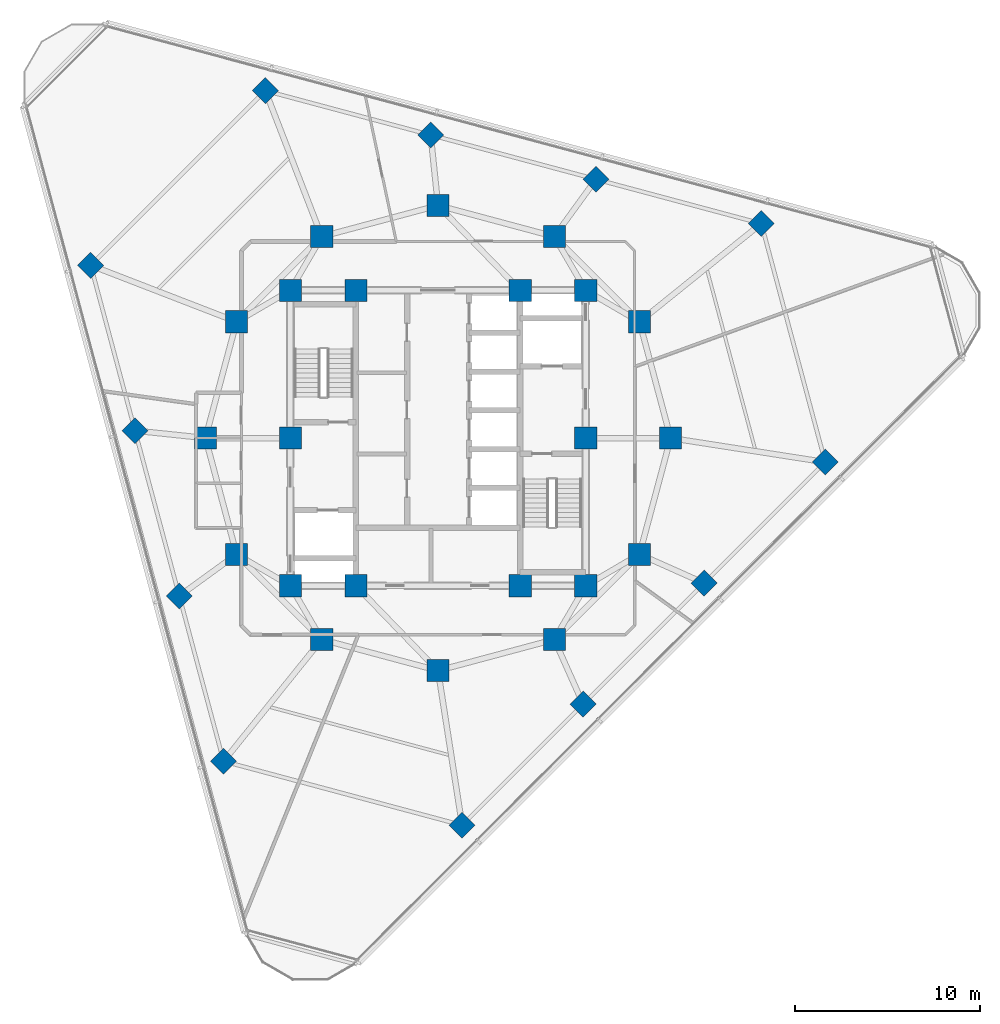
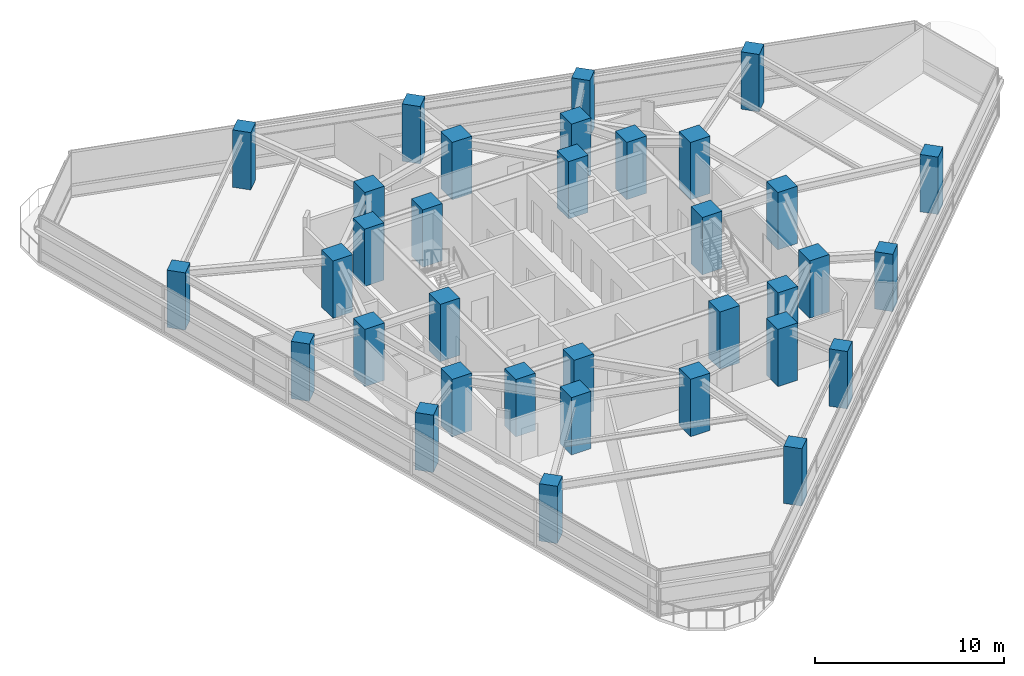
# One storey, part 1 of 13: 34 columns.
"""IFC4 building model written with IfcOpenShell, lengths in metres."""

from ifc_helpers import new_model, si_unit, direction, frame, origin, origin_2d, place, context, subcontext, project, spatial, rectangle, extrude, material, material_profile, profile_set, type_object, element, save


model = new_model("IFC4")

# Units and contexts
model_context = context("Model", 3, precision=1e-05, world=origin(), true_north=direction((0.0, 1.0)))
body_context = subcontext(model_context, "Body", "Model", "MODEL_VIEW")
ifc_project = project(units=[si_unit("LENGTHUNIT", "METRE"), si_unit("AREAUNIT", "SQUARE_METRE"), si_unit("VOLUMEUNIT", "CUBIC_METRE"), si_unit("PLANEANGLEUNIT", "RADIAN"), si_unit("MASSUNIT", "GRAM", prefix="KILO")], contexts=[model_context])

# Site, building, storey
site_placement = place(None, origin())
site = spatial("IfcSite", under=ifc_project, at=site_placement, CompositionType="ELEMENT")
building_placement = place(site_placement, origin())
building = spatial("IfcBuilding", under=site, at=building_placement, Name="Terralouvre Media Tower", CompositionType="ELEMENT")
storey_placement = place(building_placement, frame((0.0, 0.0, 195.300048828125)))
storey = spatial("IfcBuildingStorey", under=building, at=storey_placement, Name="L50", CompositionType="ELEMENT", Elevation=195.300048828125)

# Columns
ifc_material_1 = material(Name="Concrete C50/60", Category="concrete")
ifc_material_profile_1 = material_profile(ifc_material_1, rectangle(XDim=1.0, YDim=1.0, at=origin_2d()), Name="RC 1000x1000")
ifc_profile_set_1 = profile_set([ifc_material_profile_1], Name="Concrete C50/60")
column_type_1 = type_object("IfcColumnType", Name="Structural Column C-RC1000 (RC 1000x1000)", PredefinedType="COLUMN", material=ifc_profile_set_1)
for number, where, z_axis, x_axis, name in (
    (1, (1.3046875, -20.973388671875, 0.0), (0.0, 0.0, 1.0), (0.707106781187, 0.707106781187, 0.0), "L50 Perimeter Mega-Column PC11"),
    (2, (7.86083984375, -14.417236328125, 0.0), (0.0, 0.0, 1.0), (0.707106781187, 0.707106781187, 0.0), "L50 Perimeter Mega-Column PC12"),
    (3, (14.417236328125, -7.86083984375, 0.0), (0.0, 0.0, 1.0), (0.707106781187, 0.707106781187, 0.0), "L50 Perimeter Mega-Column PC13"),
    (4, (20.973388671875, -1.3046875, 0.0), (0.0, 0.0, 1.0), (0.707106781187, 0.707106781187, 0.0), "L50 Perimeter Mega-Column PC14"),
    (5, (17.51123046875, 11.616455078125, 0.0), (0.0, 0.0, 1.0), (0.707106781187, 0.707106781187, 0.0), "L50 Perimeter Mega-Column PC21"),
    (6, (8.55517578125, 14.016357421875, 0.0), (0.0, 0.0, 1.0), (0.707106781187, 0.707106781187, 0.0), "L50 Perimeter Mega-Column PC22"),
    (7, (-0.40087890625, 16.416015625, 0.0), (0.0, 0.0, 1.0), (0.707106781187, 0.707106781187, 0.0), "L50 Perimeter Mega-Column PC23"),
    (8, (-9.35693359375, 18.81591796875, 0.0), (0.0, 0.0, 1.0), (0.707106781187, 0.707106781187, 0.0), "L50 Perimeter Mega-Column PC24"),
    (9, (-18.81591796875, 9.35693359375, 0.0), (0.0, 0.0, 1.0), (0.707106781187, 0.707106781187, 0.0), "L50 Perimeter Mega-Column PC31"),
    (10, (-16.416015625, 0.40087890625, 0.0), (0.0, 0.0, 1.0), (0.707106781187, 0.707106781187, 0.0), "L50 Perimeter Mega-Column PC32"),
    (11, (-14.016357421875, -8.55517578125, 0.0), (0.0, 0.0, 1.0), (0.707106781187, 0.707106781187, 0.0), "L50 Perimeter Mega-Column PC33"),
    (12, (-11.616455078125, -17.51123046875, 0.0), (0.0, 0.0, 1.0), (0.707106781187, 0.707106781187, 0.0), "L50 Perimeter Mega-Column PC34"),
):
    element("IfcColumn", number, at=place(storey_placement, frame(where, z_axis=z_axis, x_axis=x_axis)), inside=storey, type_object=column_type_1, Name=name, PredefinedType="COLUMN", context=body_context, shape_type="SweptSolid", body=[
        extrude(rectangle(XDim=1.0, YDim=1.0, at=origin_2d()), origin(), (0.0, 0.0, 1.0), 3.699951171875),
    ])
ifc_material_2 = material(Name="Concrete C60/75", Category="concrete")
ifc_material_profile_2 = material_profile(ifc_material_2, rectangle(XDim=1.199951171875, YDim=1.199951171875, at=origin_2d()), Name="RC 1200x1200")
ifc_profile_set_2 = profile_set([ifc_material_profile_2], Name="Concrete C60/75")
column_type_2 = type_object("IfcColumnType", Name="Structural Column C-RC1200 (RC 1200x1200)", PredefinedType="COLUMN", material=ifc_profile_set_2)
for number, where, z_axis, x_axis, name in (
    (13, (-8.0, -8.0, 0.0), (0.0, 0.0, 1.0), (1.0, 0.0, 0.0), "L50 Core Pilaster Column CP1"),
    (14, (-4.449951171875, -8.0, 0.0), (0.0, 0.0, 1.0), (1.0, 0.0, 0.0), "L50 Core Pilaster Column CP2"),
    (15, (4.449951171875, -8.0, 0.0), (0.0, 0.0, 1.0), (1.0, 0.0, 0.0), "L50 Core Pilaster Column CP10"),
    (16, (8.0, -8.0, 0.0), (0.0, 0.0, 1.0), (1.0, 0.0, 0.0), "L50 Core Pilaster Column CP3"),
    (17, (8.0, 0.0, 0.0), (0.0, 0.0, 1.0), (1.0, 0.0, 0.0), "L50 Core Pilaster Column CP4"),
    (18, (8.0, 8.0, 0.0), (0.0, 0.0, 1.0), (1.0, 0.0, 0.0), "L50 Core Pilaster Column CP5"),
    (19, (4.449951171875, 8.0, 0.0), (0.0, 0.0, 1.0), (1.0, 0.0, 0.0), "L50 Core Pilaster Column CP9"),
    (20, (-4.449951171875, 8.0, 0.0), (0.0, 0.0, 1.0), (1.0, 0.0, 0.0), "L50 Core Pilaster Column CP6"),
    (21, (-8.0, 8.0, 0.0), (0.0, 0.0, 1.0), (1.0, 0.0, 0.0), "L50 Core Pilaster Column CP7"),
    (22, (-8.0, 0.0, 0.0), (0.0, 0.0, 1.0), (1.0, 0.0, 0.0), "L50 Core Pilaster Column CP8"),
    (23, (12.60009765625, 0.0, 0.0), (0.0, 0.0, 1.0), (1.0, 0.0, 0.0), "L50 Mega-Frame Column MC01"),
    (24, (10.911865234375, 6.300048828125, 0.0), (0.0, 0.0, 1.0), (1.0, 0.0, 0.0), "L50 Mega-Frame Column MC02"),
    (25, (6.300048828125, 10.911865234375, 0.0), (0.0, 0.0, 1.0), (1.0, 0.0, 0.0), "L50 Mega-Frame Column MC03"),
    (26, (0.0, 12.60009765625, 0.0), (0.0, 0.0, 1.0), (1.0, 0.0, 0.0), "L50 Mega-Frame Column MC04"),
    (27, (-6.300048828125, 10.911865234375, 0.0), (0.0, 0.0, 1.0), (1.0, 0.0, 0.0), "L50 Mega-Frame Column MC05"),
    (28, (-10.911865234375, 6.300048828125, 0.0), (0.0, 0.0, 1.0), (1.0, 0.0, 0.0), "L50 Mega-Frame Column MC06"),
    (29, (-12.60009765625, 0.0, 0.0), (0.0, 0.0, 1.0), (1.0, 0.0, 0.0), "L50 Mega-Frame Column MC07"),
    (30, (-10.911865234375, -6.300048828125, 0.0), (0.0, 0.0, 1.0), (1.0, 0.0, 0.0), "L50 Mega-Frame Column MC08"),
    (31, (-6.300048828125, -10.911865234375, 0.0), (0.0, 0.0, 1.0), (1.0, 0.0, 0.0), "L50 Mega-Frame Column MC09"),
    (32, (0.0, -12.60009765625, 0.0), (0.0, 0.0, 1.0), (1.0, 0.0, 0.0), "L50 Mega-Frame Column MC10"),
    (33, (6.300048828125, -10.911865234375, 0.0), (0.0, 0.0, 1.0), (1.0, 0.0, 0.0), "L50 Mega-Frame Column MC11"),
    (34, (10.911865234375, -6.300048828125, 0.0), (0.0, 0.0, 1.0), (1.0, 0.0, 0.0), "L50 Mega-Frame Column MC12"),
):
    element("IfcColumn", number, at=place(storey_placement, frame(where, z_axis=z_axis, x_axis=x_axis)), inside=storey, type_object=column_type_2, Name=name, PredefinedType="COLUMN", context=body_context, shape_type="SweptSolid", body=[
        extrude(rectangle(XDim=1.199951171875, YDim=1.199951171875, at=origin_2d()), origin(), (0.0, 0.0, 1.0), 3.699951171875),
    ])

save(model, "model.ifc")
